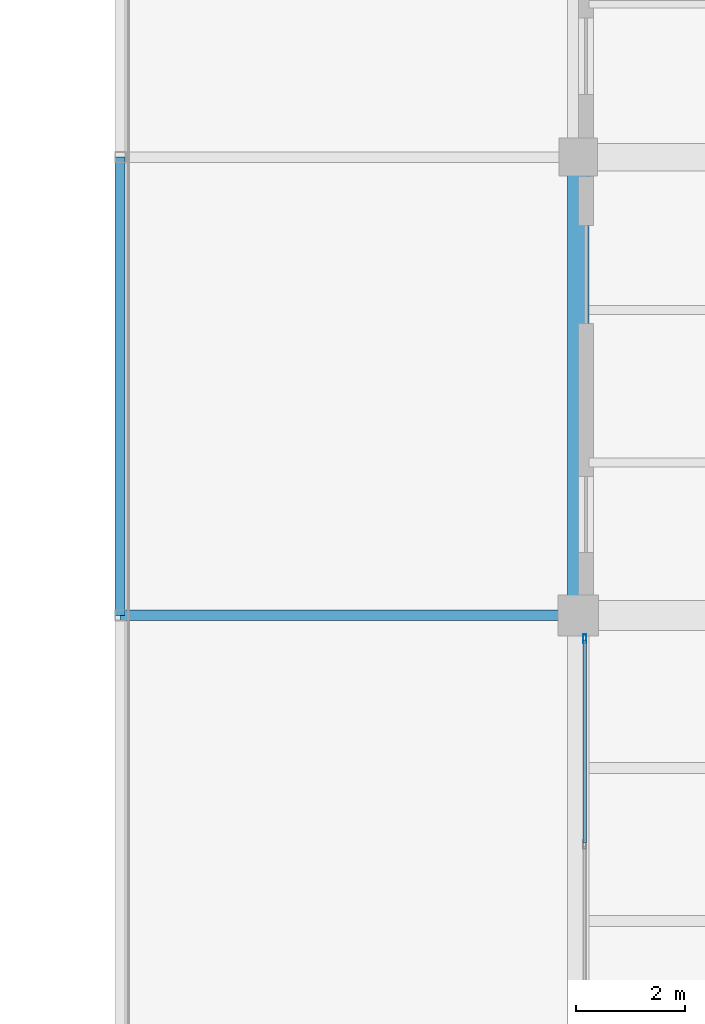
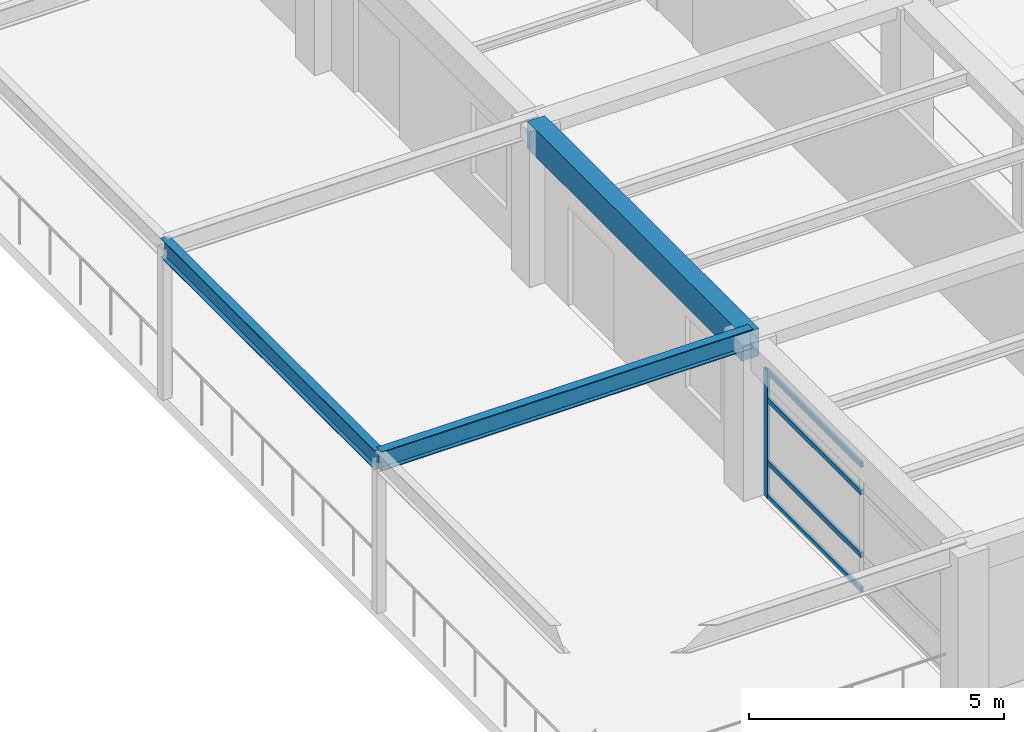
# One storey, part 6 of 35: 5 members, 3 beams, 1 element without a shape of its own.
"""IFC4 building model written with IfcOpenShell, lengths in metres."""

from ifc_helpers import new_model, si_unit, direction, frame, origin, origin_2d, place, context, subcontext, project, spatial, rectangle, hollow_rectangle, i_section, extrude, material, material_profile, profile_set, type_object, element, aggregate, save


model = new_model("IFC4")

# Units and contexts
model_context = context("Model", 3, precision=1e-05, world=origin(), true_north=direction((0.0, 1.0)))
body_context = subcontext(model_context, "Body", "Model", "MODEL_VIEW")
ifc_project = project(units=[si_unit("LENGTHUNIT", "METRE"), si_unit("AREAUNIT", "SQUARE_METRE"), si_unit("VOLUMEUNIT", "CUBIC_METRE"), si_unit("PLANEANGLEUNIT", "RADIAN"), si_unit("MASSUNIT", "GRAM", prefix="KILO")], contexts=[model_context])

# Site, building, storey
site_placement = place(None, origin())
site = spatial("IfcSite", under=ifc_project, at=site_placement, CompositionType="ELEMENT")
building_placement = place(site_placement, origin())
building = spatial("IfcBuilding", under=site, at=building_placement, Name="Almacenes y Pasaje Nevantli", CompositionType="ELEMENT")
storey_placement = place(building_placement, frame((0.0, 0.0, 26.699951171875)))
storey = spatial("IfcBuildingStorey", under=building, at=storey_placement, Name="L06", CompositionType="ELEMENT", Elevation=26.699951171875)

# Beams
ifc_material_1 = material(Name="Concrete C35/45", Category="concrete")
ifc_material_profile_1 = material_profile(ifc_material_1, rectangle(XDim=0.39990234375, YDim=0.64990234375, at=origin_2d()), Name="RC-BM-400x650")
ifc_profile_set_1 = profile_set([ifc_material_profile_1], Name="Concrete C35/45")
beam_type_1 = type_object("IfcBeamType", Name="BM-RC-400x650", PredefinedType="SPANDREL", material=ifc_profile_set_1)
beam_1_placement = place(storey_placement, frame((109.199951171875, 75.60009765625, 3.39501953125), z_axis=(0.0, 1.0, 0.0), x_axis=(-1.0, 0.0, 0.0)))
element("IfcBeam", 1, at=beam_1_placement, inside=storey, type_object=beam_type_1, Name="L06 North-South Reinforced Concrete Beam #3604", PredefinedType="SPANDREL", context=body_context, shape_type="SweptSolid", body=[
    extrude(rectangle(XDim=0.39990234375, YDim=0.64990234375, at=origin_2d()), origin(), (0.0, 0.0, 1.0), 8.39990234375),
])
ifc_material_2 = material(Name="Steel ASTM A992", Category="steel")
ifc_material_profile_2 = material_profile(ifc_material_2, i_section(OverallWidth=0.18994140625, OverallDepth=0.45703125, WebThickness=0.009033203125, FlangeThickness=0.014404296875, at=origin_2d()), Name="IR 457x74.4")
ifc_profile_set_2 = profile_set([ifc_material_profile_2], Name="Steel ASTM A992")
beam_type_2 = type_object("IfcBeamType", Name="BM-STL-IR-457x74p4", PredefinedType="BEAM", material=ifc_profile_set_2)
beam_2_placement = place(storey_placement, frame((100.800048828125, 75.60009765625, 3.60009765625), z_axis=(0.0, 1.0, 0.0), x_axis=(-1.0, 0.0, 0.0)))
element("IfcBeam", 2, at=beam_2_placement, inside=storey, type_object=beam_type_2, Name="L06 Ziggurat Terrace Pergola Edge Beam 75", PredefinedType="BEAM", context=body_context, shape_type="SweptSolid", body=[
    extrude(i_section(OverallWidth=0.18994140625, OverallDepth=0.45703125, WebThickness=0.009033203125, FlangeThickness=0.014404296875, at=origin_2d()), origin(), (0.0, 0.0, 1.0), 8.39990234375),
])
ifc_material_3 = material(Name="Steel ASTM A992", Category="steel")
ifc_material_profile_3 = material_profile(ifc_material_3, i_section(OverallWidth=0.193115234375, OverallDepth=0.4599609375, WebThickness=0.011474609375, FlangeThickness=0.01904296875, at=origin_2d()), Name="IR 457x96.7")
ifc_profile_set_3 = profile_set([ifc_material_profile_3], Name="Steel ASTM A992")
beam_type_3 = type_object("IfcBeamType", Name="BM-STL-IR-457x96p7", PredefinedType="BEAM", material=ifc_profile_set_3)
beam_3_placement = place(storey_placement, frame((100.800048828125, 75.60009765625, 3.60009765625), z_axis=(1.0, 0.0, 0.0), x_axis=(0.0, 1.0, 0.0)))
element("IfcBeam", 3, at=beam_3_placement, inside=storey, type_object=beam_type_3, Name="L06 Ziggurat Terrace Pergola Cross Beam 75", PredefinedType="BEAM", context=body_context, shape_type="SweptSolid", body=[
    extrude(i_section(OverallWidth=0.193115234375, OverallDepth=0.4599609375, WebThickness=0.011474609375, FlangeThickness=0.01904296875, at=origin_2d()), origin(), (0.0, 0.0, 1.0), 8.39990234375),
])

# Curtain wall, members
ifc_material_4 = material(Name="Thermally Broken Aluminium and Low-E Glass", Category="aluminium")
curtain_wall_type = type_object("IfcCurtainWallType", Name="CW-UNIT-TOWER", PredefinedType="USERDEFINED", material=ifc_material_4)
curtain_wall_placement = place(storey_placement, origin())
curtain_wall = element("IfcCurtainWall", 4, at=curtain_wall_placement, inside=storey, type_object=curtain_wall_type, Name="L06 Tower West Curtain Wall Bay 9", ObjectType="UNITIZED CURTAIN WALL", PredefinedType="USERDEFINED")
ifc_material_5 = material(Name="Thermally Broken Anodized Aluminium", Category="aluminium")
ifc_material_profile_4 = material_profile(ifc_material_5, hollow_rectangle(XDim=0.06005859375, YDim=0.159912109375, WallThickness=0.00390625, at=origin_2d()), Name="ALU-MUL-60x160")
ifc_profile_set_4 = profile_set([ifc_material_profile_4], Name="Thermally Broken Anodized Aluminium")
member_type_1 = type_object("IfcMemberType", Name="CW-MUL-180", PredefinedType="MULLION", material=ifc_profile_set_4)
member_1_placement = place(storey_placement, frame((109.320068359375, 75.169921875, 0.0), z_axis=(0.0, 0.0, 1.0), x_axis=(-1.0, 0.0, 0.0)))
member_1 = element("IfcMember", 5, at=member_1_placement, type_object=member_type_1, Name="CW-L06-108 mullion 3", PredefinedType="MULLION", context=body_context, shape_type="SweptSolid", body=[
    extrude(hollow_rectangle(XDim=0.06005859375, YDim=0.159912109375, WallThickness=0.00390625, at=origin_2d()), origin(), (0.0, 0.0, 1.0), 3.0400390625),
])
ifc_material_6 = material(Name="Thermally Broken Anodized Aluminium", Category="aluminium")
ifc_material_profile_5 = material_profile(ifc_material_6, hollow_rectangle(XDim=0.06005859375, YDim=0.1201171875, WallThickness=0.00341796875, at=origin_2d()), Name="ALU-TRN-60x120")
ifc_profile_set_5 = profile_set([ifc_material_profile_5], Name="Thermally Broken Anodized Aluminium")
member_type_2 = type_object("IfcMemberType", Name="CW-TRN-130", PredefinedType="USERDEFINED", material=ifc_profile_set_5)
member_2_placement = place(storey_placement, frame((109.320068359375, 71.429931640625, 0.030029296875), z_axis=(0.0, 1.0, 0.0), x_axis=(-1.0, 0.0, 0.0)))
member_2 = element("IfcMember", 6, at=member_2_placement, type_object=member_type_2, Name="CW-L06-108 transom 2.1", ObjectType="TRANSOM", PredefinedType="USERDEFINED", context=body_context, shape_type="SweptSolid", body=[
    extrude(hollow_rectangle(XDim=0.06005859375, YDim=0.1201171875, WallThickness=0.00341796875, at=origin_2d()), origin(), (0.0, 0.0, 1.0), 3.7099609375),
])
member_3_placement = place(storey_placement, frame((109.320068359375, 71.429931640625, 0.85009765625), z_axis=(0.0, 1.0, 0.0), x_axis=(-1.0, 0.0, 0.0)))
member_3 = element("IfcMember", 7, at=member_3_placement, type_object=member_type_2, Name="CW-L06-108 transom 2.2", ObjectType="TRANSOM", PredefinedType="USERDEFINED", context=body_context, shape_type="SweptSolid", body=[
    extrude(hollow_rectangle(XDim=0.06005859375, YDim=0.1201171875, WallThickness=0.00341796875, at=origin_2d()), origin(), (0.0, 0.0, 1.0), 3.7099609375),
])
member_4_placement = place(storey_placement, frame((109.320068359375, 71.429931640625, 2.35009765625), z_axis=(0.0, 1.0, 0.0), x_axis=(-1.0, 0.0, 0.0)))
member_4 = element("IfcMember", 8, at=member_4_placement, type_object=member_type_2, Name="CW-L06-108 transom 2.3", ObjectType="TRANSOM", PredefinedType="USERDEFINED", context=body_context, shape_type="SweptSolid", body=[
    extrude(hollow_rectangle(XDim=0.06005859375, YDim=0.1201171875, WallThickness=0.00341796875, at=origin_2d()), origin(), (0.0, 0.0, 1.0), 3.7099609375),
])
member_5_placement = place(storey_placement, frame((109.320068359375, 71.429931640625, 3.010009765625), z_axis=(0.0, 1.0, 0.0), x_axis=(-1.0, 0.0, 0.0)))
member_5 = element("IfcMember", 9, at=member_5_placement, type_object=member_type_2, Name="CW-L06-108 transom 2.4", ObjectType="TRANSOM", PredefinedType="USERDEFINED", context=body_context, shape_type="SweptSolid", body=[
    extrude(hollow_rectangle(XDim=0.06005859375, YDim=0.1201171875, WallThickness=0.00341796875, at=origin_2d()), origin(), (0.0, 0.0, 1.0), 3.7099609375),
])
aggregate(curtain_wall, [member_1, member_2, member_3, member_4, member_5])

save(model, "model.ifc")
